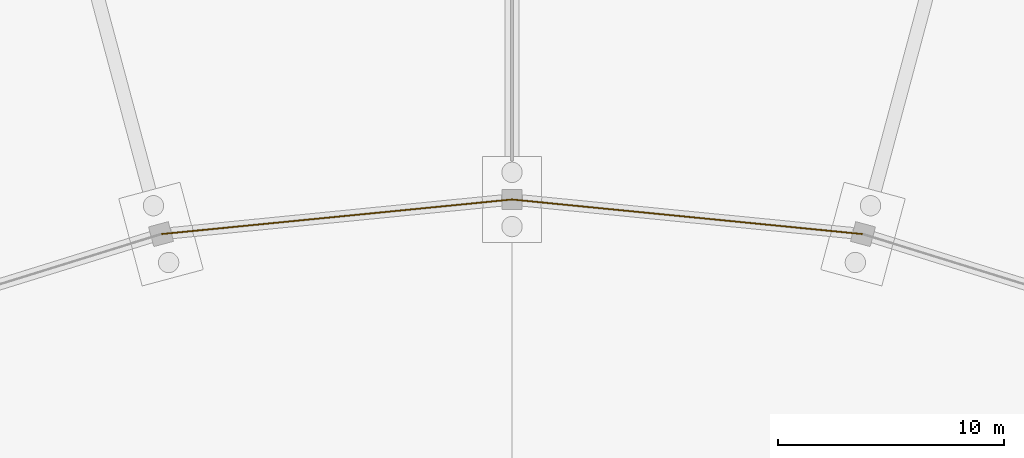
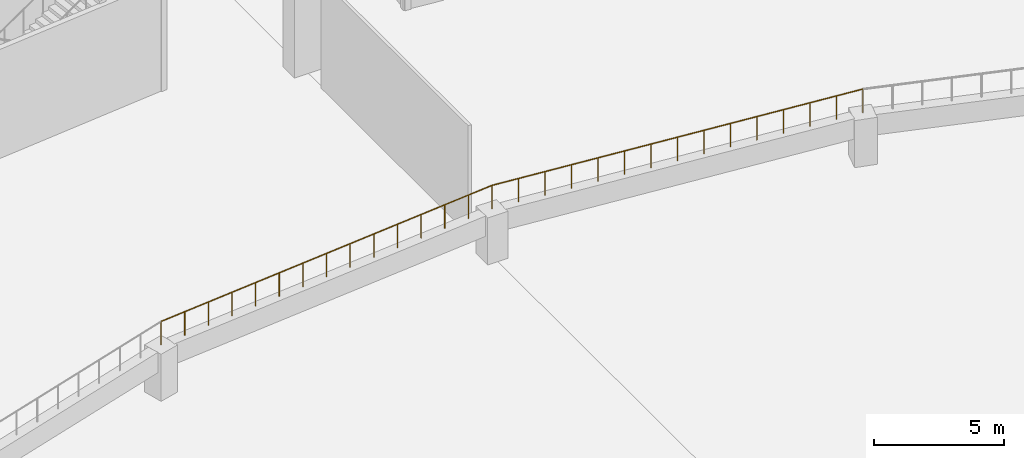
# One storey, part 91 of 103: 2 railings.
"""IFC4 building model written with IfcOpenShell, lengths in metres."""

from ifc_helpers import new_model, si_unit, direction, frame, origin, origin_2d, place, context, subcontext, project, spatial, circle, extrude, material, type_object, element, save


model = new_model("IFC4")

# Units and contexts
model_context = context("Model", 3, precision=1e-05, world=origin(), true_north=direction((0.0, 1.0)))
body_context = subcontext(model_context, "Body", "Model", "MODEL_VIEW")
ifc_project = project(units=[si_unit("LENGTHUNIT", "METRE"), si_unit("AREAUNIT", "SQUARE_METRE"), si_unit("VOLUMEUNIT", "CUBIC_METRE"), si_unit("PLANEANGLEUNIT", "RADIAN"), si_unit("MASSUNIT", "GRAM", prefix="KILO")], contexts=[model_context])

# Site, building, storey
site_placement = place(None, origin())
site = spatial("IfcSite", under=ifc_project, at=site_placement, CompositionType="ELEMENT")
building_placement = place(site_placement, origin())
building = spatial("IfcBuilding", under=site, at=building_placement, Name="Zevraka Park Crest Stadium", CompositionType="ELEMENT")
storey_placement = place(building_placement, origin())
storey = spatial("IfcBuildingStorey", under=building, at=storey_placement, Name="L00", CompositionType="ELEMENT", Elevation=0.0)

# Railings
ifc_material = material(Name="Laminated glass and stainless steel sightline bowl guard", Category="steel")
railing_type = type_object("IfcRailingType", Name="GR02", PredefinedType="GUARDRAIL", material=ifc_material)
railing_1_placement = place(storey_placement, frame((127.529052734375, 135.467041015625, 2.199951171875)))
element("IfcRailing", 1, at=railing_1_placement, inside=storey, type_object=railing_type, Name="Lower Tier Pitch Sightline Guard GR02 05", PredefinedType="GUARDRAIL", context=body_context, shape_type="SweptSolid", body=[
    extrude(circle(Radius=0.02392578125, at=origin_2d()), frame((0.0, 0.0, 1.09619140625), z_axis=(-0.995162943473, 0.098238057479, 0.0), x_axis=(-0.098238057479, -0.995162943473, 0.0)), (0.0, 0.0, 1.0), 15.6044921875),
    extrude(circle(Radius=0.02099609375, at=origin_2d()), origin(), (0.0, 0.0, 1.0), 1.072021484375),
    extrude(circle(Radius=0.02099609375, at=origin_2d()), frame((-1.109130859375, 0.109375, 0.0)), (0.0, 0.0, 1.0), 1.072021484375),
    extrude(circle(Radius=0.02099609375, at=origin_2d()), frame((-2.218505859375, 0.218994140625, 0.0)), (0.0, 0.0, 1.0), 1.072021484375),
    extrude(circle(Radius=0.02099609375, at=origin_2d()), frame((-3.32763671875, 0.32861328125, 0.0)), (0.0, 0.0, 1.0), 1.072021484375),
    extrude(circle(Radius=0.02099609375, at=origin_2d()), frame((-4.436767578125, 0.43798828125, 0.0)), (0.0, 0.0, 1.0), 1.072021484375),
    extrude(circle(Radius=0.02099609375, at=origin_2d()), frame((-5.546142578125, 0.54736328125, 0.0)), (0.0, 0.0, 1.0), 1.072021484375),
    extrude(circle(Radius=0.02099609375, at=origin_2d()), frame((-6.6552734375, 0.656982421875, 0.0)), (0.0, 0.0, 1.0), 1.072021484375),
    extrude(circle(Radius=0.02099609375, at=origin_2d()), frame((-7.7646484375, 0.7666015625, 0.0)), (0.0, 0.0, 1.0), 1.072021484375),
    extrude(circle(Radius=0.02099609375, at=origin_2d()), frame((-8.873779296875, 0.8759765625, 0.0)), (0.0, 0.0, 1.0), 1.072021484375),
    extrude(circle(Radius=0.02099609375, at=origin_2d()), frame((-9.98291015625, 0.985595703125, 0.0)), (0.0, 0.0, 1.0), 1.072021484375),
    extrude(circle(Radius=0.02099609375, at=origin_2d()), frame((-11.09228515625, 1.094970703125, 0.0)), (0.0, 0.0, 1.0), 1.072021484375),
    extrude(circle(Radius=0.02099609375, at=origin_2d()), frame((-12.201416015625, 1.20458984375, 0.0)), (0.0, 0.0, 1.0), 1.072021484375),
    extrude(circle(Radius=0.02099609375, at=origin_2d()), frame((-13.310546875, 1.31396484375, 0.0)), (0.0, 0.0, 1.0), 1.072021484375),
    extrude(circle(Radius=0.02099609375, at=origin_2d()), frame((-14.419921875, 1.42333984375, 0.0)), (0.0, 0.0, 1.0), 1.072021484375),
    extrude(circle(Radius=0.02099609375, at=origin_2d()), frame((-15.529052734375, 1.532958984375, 0.0)), (0.0, 0.0, 1.0), 1.072021484375),
])
railing_2_placement = place(storey_placement, frame((112.0, 137.0, 2.199951171875)))
element("IfcRailing", 2, at=railing_2_placement, inside=storey, type_object=railing_type, Name="Lower Tier Pitch Sightline Guard GR02 06", PredefinedType="GUARDRAIL", context=body_context, shape_type="SweptSolid", body=[
    extrude(circle(Radius=0.02392578125, at=origin_2d()), frame((0.0, 0.0, 1.09619140625), z_axis=(-0.995162943473, -0.098238057479, 0.0), x_axis=(0.098238057479, -0.995162943473, 0.0)), (0.0, 0.0, 1.0), 15.6044921875),
    extrude(circle(Radius=0.02099609375, at=origin_2d()), origin(), (0.0, 0.0, 1.0), 1.072021484375),
    extrude(circle(Radius=0.02099609375, at=origin_2d()), frame((-1.109130859375, -0.109375, 0.0)), (0.0, 0.0, 1.0), 1.072021484375),
    extrude(circle(Radius=0.02099609375, at=origin_2d()), frame((-2.218505859375, -0.218994140625, 0.0)), (0.0, 0.0, 1.0), 1.072021484375),
    extrude(circle(Radius=0.02099609375, at=origin_2d()), frame((-3.32763671875, -0.32861328125, 0.0)), (0.0, 0.0, 1.0), 1.072021484375),
    extrude(circle(Radius=0.02099609375, at=origin_2d()), frame((-4.436767578125, -0.43798828125, 0.0)), (0.0, 0.0, 1.0), 1.072021484375),
    extrude(circle(Radius=0.02099609375, at=origin_2d()), frame((-5.546142578125, -0.54736328125, 0.0)), (0.0, 0.0, 1.0), 1.072021484375),
    extrude(circle(Radius=0.02099609375, at=origin_2d()), frame((-6.6552734375, -0.656982421875, 0.0)), (0.0, 0.0, 1.0), 1.072021484375),
    extrude(circle(Radius=0.02099609375, at=origin_2d()), frame((-7.7646484375, -0.7666015625, 0.0)), (0.0, 0.0, 1.0), 1.072021484375),
    extrude(circle(Radius=0.02099609375, at=origin_2d()), frame((-8.873779296875, -0.8759765625, 0.0)), (0.0, 0.0, 1.0), 1.072021484375),
    extrude(circle(Radius=0.02099609375, at=origin_2d()), frame((-9.98291015625, -0.985595703125, 0.0)), (0.0, 0.0, 1.0), 1.072021484375),
    extrude(circle(Radius=0.02099609375, at=origin_2d()), frame((-11.09228515625, -1.094970703125, 0.0)), (0.0, 0.0, 1.0), 1.072021484375),
    extrude(circle(Radius=0.02099609375, at=origin_2d()), frame((-12.201416015625, -1.20458984375, 0.0)), (0.0, 0.0, 1.0), 1.072021484375),
    extrude(circle(Radius=0.02099609375, at=origin_2d()), frame((-13.310546875, -1.31396484375, 0.0)), (0.0, 0.0, 1.0), 1.072021484375),
    extrude(circle(Radius=0.02099609375, at=origin_2d()), frame((-14.419921875, -1.42333984375, 0.0)), (0.0, 0.0, 1.0), 1.072021484375),
    extrude(circle(Radius=0.02099609375, at=origin_2d()), frame((-15.529052734375, -1.532958984375, 0.0)), (0.0, 0.0, 1.0), 1.072021484375),
])

save(model, "model.ifc")
